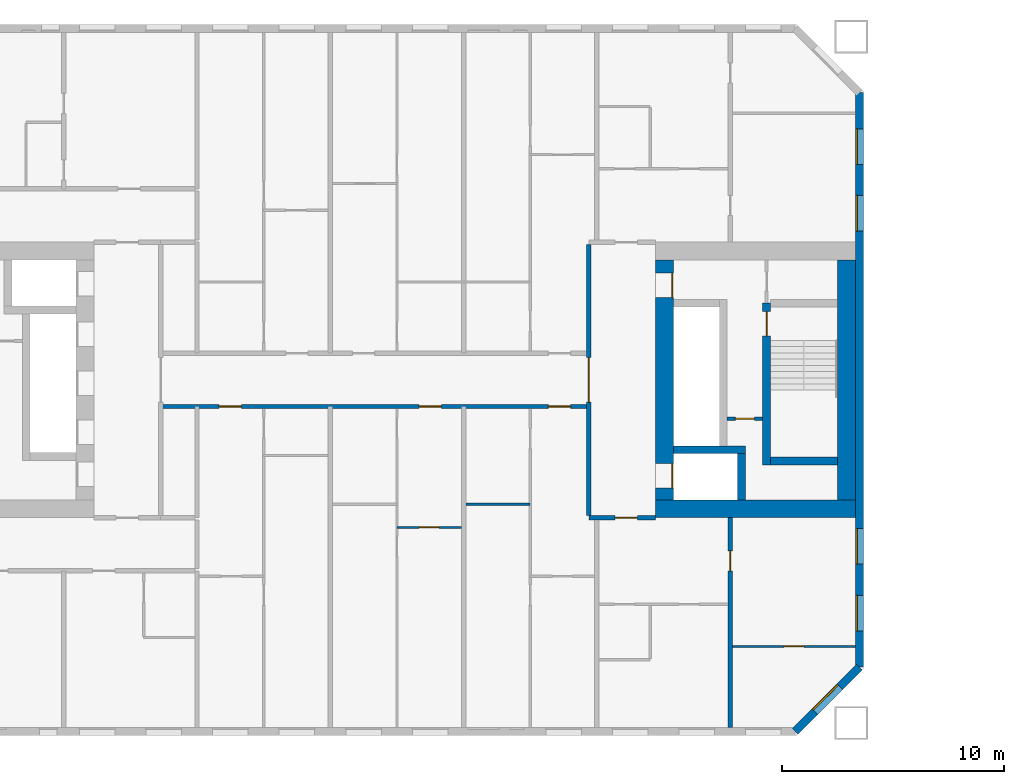
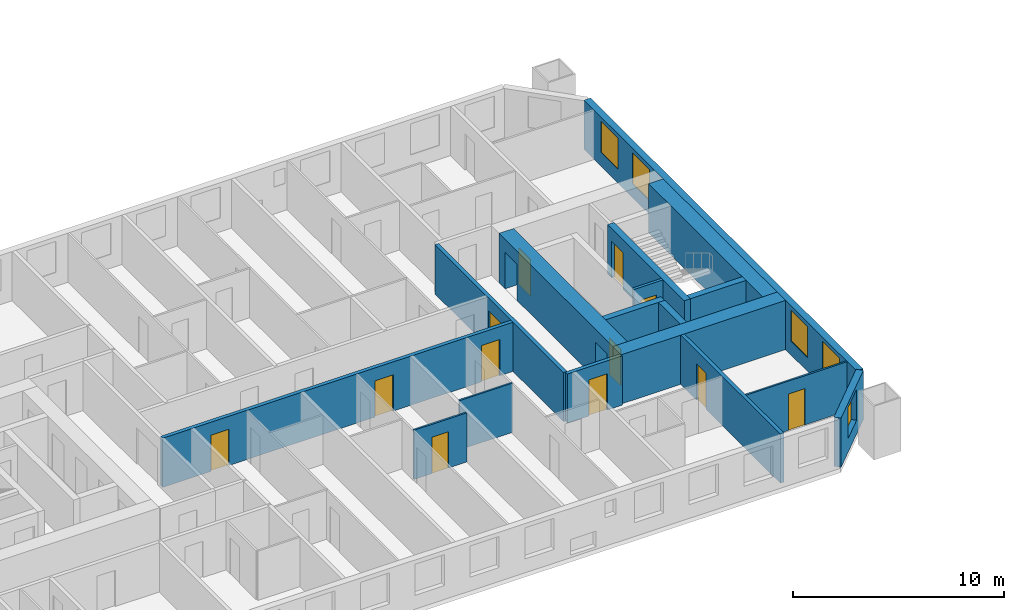
# One storey, part 7 of 17: 17 walls, 12 doors, 5 windows, 17 openings.
"""IFC4 building model written with IfcOpenShell, lengths in metres."""

from ifc_helpers import new_model, si_unit, direction, frame, frame_2d, origin, place, context, subcontext, project, spatial, rectangle, extrude, material, layer, layer_set, type_object, element, fill, save


model = new_model("IFC4")

# Units and contexts
model_context = context("Model", 3, precision=1e-05, world=origin(), true_north=direction((0.0, 1.0)))
body_context = subcontext(model_context, "Body", "Model", "MODEL_VIEW")
ifc_project = project(units=[si_unit("LENGTHUNIT", "METRE"), si_unit("AREAUNIT", "SQUARE_METRE"), si_unit("VOLUMEUNIT", "CUBIC_METRE"), si_unit("PLANEANGLEUNIT", "RADIAN"), si_unit("MASSUNIT", "GRAM", prefix="KILO")], contexts=[model_context])

# Site, building, storey
site_placement = place(None, origin())
site = spatial("IfcSite", under=ifc_project, at=site_placement, CompositionType="ELEMENT")
building_placement = place(site_placement, origin())
building = spatial("IfcBuilding", under=site, at=building_placement, Name="Tuart Gate Housing", CompositionType="ELEMENT")
storey_placement = place(building_placement, frame((0.0, 0.0, 53.60009765625)))
storey = spatial("IfcBuildingStorey", under=building, at=storey_placement, Name="L14", CompositionType="ELEMENT", Elevation=53.60009765625)

# Wall, opening, window
ifc_material_1 = material(Name="Brick", Category="masonry")
ifc_layer_1 = layer(ifc_material_1, 0.360107421875)
ifc_layer_set_1 = layer_set([ifc_layer_1], Name="Brick pier and spandrel wall 360")
wall_type_1 = type_object("IfcWallType", Name="Brick pier and spandrel wall 360", PredefinedType="STANDARD", material=ifc_layer_set_1)
wall_1_placement = place(storey_placement, frame((72.92529296875, 54.179931640625, 0.0), z_axis=(0.0, 0.0, 1.0), x_axis=(0.707106781187, 0.707106781187, 0.0)))
wall_1 = element("IfcWall", 1, at=wall_1_placement, inside=storey, type_object=wall_type_1, Name="External wall A-SE L14", PredefinedType="STANDARD", context=body_context, shape_type="SweptSolid", body=[
    extrude(rectangle(XDim=4.09375, YDim=0.360107421875, at=frame_2d((2.046875, 0.0))), origin(), (0.0, 0.0, 1.0), 2.849853515625),
])
opening_1_placement = place(wall_1_placement, frame((1.2470703125, 0.0, 0.800048828125)))
opening_1 = element("IfcOpeningElement", 2, at=opening_1_placement, cuts=wall_1, Name="Opening W1", PredefinedType="OPENING", context=body_context, shape_type="SweptSolid", body=[
    extrude(rectangle(XDim=1.60009765625, YDim=1.800048828125, at=frame_2d((0.800048828125, 0.89990234375))), frame((0.0, 0.18994140625, 0.0), z_axis=(0.0, -1.0, 0.0), x_axis=(1.0, 0.0, 0.0)), (0.0, 0.0, 1.0), 0.380126953125),
])
ifc_material_2 = material(Name="Aluminium frame with clear glass", Category="aluminium")
window_type = type_object("IfcWindowType", Name="Punched window 1600 x 1800", PartitioningType="SINGLE_PANEL", PredefinedType="WINDOW", material=ifc_material_2)
window_1_placement = place(opening_1_placement, origin())
window_1 = element("IfcWindow", 3, at=window_1_placement, inside=storey, type_object=window_type, Name="Window W1", OverallHeight=1.800048828125, OverallWidth=1.60009765625, PartitioningType="SINGLE_PANEL", PredefinedType="WINDOW", context=body_context, shape_type="SweptSolid", body=[
    extrude(rectangle(XDim=1.60009765625, YDim=1.800048828125, at=frame_2d((0.800048828125, 0.89990234375))), frame((0.0, 0.150146484375, 0.0), z_axis=(0.0, -1.0, 0.0), x_axis=(1.0, 0.0, 0.0)), (0.0, 0.0, 1.0), 0.06005859375),
])
fill(opening_1, window_1)

# Wall, openings, windows
wall_2_placement = place(storey_placement, frame((75.820068359375, 57.07470703125, 0.0), z_axis=(0.0, 0.0, 1.0), x_axis=(0.0, 1.0, 0.0)))
wall_2 = element("IfcWall", 4, at=wall_2_placement, inside=storey, type_object=wall_type_1, Name="External wall A-E L14", PredefinedType="STANDARD", context=body_context, shape_type="SweptSolid", body=[
    extrude(rectangle(XDim=25.850830078125, YDim=0.360107421875, at=frame_2d((12.92529296875, 0.0))), origin(), (0.0, 0.0, 1.0), 2.849853515625),
])
opening_2_placement = place(wall_2_placement, frame((1.62548828125, 0.0, 0.800048828125)))
opening_2 = element("IfcOpeningElement", 5, at=opening_2_placement, cuts=wall_2, Name="Opening W1", PredefinedType="OPENING", context=body_context, shape_type="SweptSolid", body=[
    extrude(rectangle(XDim=1.60009765625, YDim=1.800048828125, at=frame_2d((0.800048828125, 0.89990234375))), frame((0.0, 0.18994140625, 0.0), z_axis=(0.0, -1.0, 0.0), x_axis=(1.0, 0.0, 0.0)), (0.0, 0.0, 1.0), 0.380126953125),
])
opening_3_placement = place(wall_2_placement, frame((4.62548828125, 0.0, 0.800048828125)))
opening_3 = element("IfcOpeningElement", 6, at=opening_3_placement, cuts=wall_2, Name="Opening W1", PredefinedType="OPENING", context=body_context, shape_type="SweptSolid", body=[
    extrude(rectangle(XDim=1.60009765625, YDim=1.800048828125, at=frame_2d((0.800048828125, 0.89990234375))), frame((0.0, 0.18994140625, 0.0), z_axis=(0.0, -1.0, 0.0), x_axis=(1.0, 0.0, 0.0)), (0.0, 0.0, 1.0), 0.380126953125),
])
opening_4_placement = place(wall_2_placement, frame((19.62548828125, 0.0, 0.800048828125)))
opening_4 = element("IfcOpeningElement", 7, at=opening_4_placement, cuts=wall_2, Name="Opening W1", PredefinedType="OPENING", context=body_context, shape_type="SweptSolid", body=[
    extrude(rectangle(XDim=1.60009765625, YDim=1.800048828125, at=frame_2d((0.800048828125, 0.89990234375))), frame((0.0, 0.18994140625, 0.0), z_axis=(0.0, -1.0, 0.0), x_axis=(1.0, 0.0, 0.0)), (0.0, 0.0, 1.0), 0.380126953125),
])
opening_5_placement = place(wall_2_placement, frame((22.62548828125, 0.0, 0.800048828125)))
opening_5 = element("IfcOpeningElement", 8, at=opening_5_placement, cuts=wall_2, Name="Opening W1", PredefinedType="OPENING", context=body_context, shape_type="SweptSolid", body=[
    extrude(rectangle(XDim=1.60009765625, YDim=1.800048828125, at=frame_2d((0.800048828125, 0.89990234375))), frame((0.0, 0.18994140625, 0.0), z_axis=(0.0, -1.0, 0.0), x_axis=(1.0, 0.0, 0.0)), (0.0, 0.0, 1.0), 0.380126953125),
])
window_2_placement = place(opening_2_placement, origin())
window_2 = element("IfcWindow", 9, at=window_2_placement, inside=storey, type_object=window_type, Name="Window W1", OverallHeight=1.800048828125, OverallWidth=1.60009765625, PartitioningType="SINGLE_PANEL", PredefinedType="WINDOW", context=body_context, shape_type="SweptSolid", body=[
    extrude(rectangle(XDim=1.60009765625, YDim=1.800048828125, at=frame_2d((0.800048828125, 0.89990234375))), frame((0.0, 0.150146484375, 0.0), z_axis=(0.0, -1.0, 0.0), x_axis=(1.0, 0.0, 0.0)), (0.0, 0.0, 1.0), 0.06005859375),
])
fill(opening_2, window_2)
window_3_placement = place(opening_3_placement, origin())
window_3 = element("IfcWindow", 10, at=window_3_placement, inside=storey, type_object=window_type, Name="Window W1", OverallHeight=1.800048828125, OverallWidth=1.60009765625, PartitioningType="SINGLE_PANEL", PredefinedType="WINDOW", context=body_context, shape_type="SweptSolid", body=[
    extrude(rectangle(XDim=1.60009765625, YDim=1.800048828125, at=frame_2d((0.800048828125, 0.89990234375))), frame((0.0, 0.150146484375, 0.0), z_axis=(0.0, -1.0, 0.0), x_axis=(1.0, 0.0, 0.0)), (0.0, 0.0, 1.0), 0.06005859375),
])
fill(opening_3, window_3)
window_4_placement = place(opening_4_placement, origin())
window_4 = element("IfcWindow", 11, at=window_4_placement, inside=storey, type_object=window_type, Name="Window W1", OverallHeight=1.800048828125, OverallWidth=1.60009765625, PartitioningType="SINGLE_PANEL", PredefinedType="WINDOW", context=body_context, shape_type="SweptSolid", body=[
    extrude(rectangle(XDim=1.60009765625, YDim=1.800048828125, at=frame_2d((0.800048828125, 0.89990234375))), frame((0.0, 0.150146484375, 0.0), z_axis=(0.0, -1.0, 0.0), x_axis=(1.0, 0.0, 0.0)), (0.0, 0.0, 1.0), 0.06005859375),
])
fill(opening_4, window_4)
window_5_placement = place(opening_5_placement, origin())
window_5 = element("IfcWindow", 12, at=window_5_placement, inside=storey, type_object=window_type, Name="Window W1", OverallHeight=1.800048828125, OverallWidth=1.60009765625, PartitioningType="SINGLE_PANEL", PredefinedType="WINDOW", context=body_context, shape_type="SweptSolid", body=[
    extrude(rectangle(XDim=1.60009765625, YDim=1.800048828125, at=frame_2d((0.800048828125, 0.89990234375))), frame((0.0, 0.150146484375, 0.0), z_axis=(0.0, -1.0, 0.0), x_axis=(1.0, 0.0, 0.0)), (0.0, 0.0, 1.0), 0.06005859375),
])
fill(opening_5, window_5)

# Wall, opening, door
ifc_material_3 = material(Name="Plasterboard partition")
ifc_layer_2 = layer(ifc_material_3, 0.14990234375)
ifc_layer_set_2 = layer_set([ifc_layer_2], Name="Core partition 150")
wall_type_2 = type_object("IfcWallType", Name="Core partition 150", PredefinedType="PARTITIONING", material=ifc_layer_set_2)
wall_3_placement = place(storey_placement, frame((69.864990234375, 68.25, 0.0), z_axis=(0.0, 0.0, 1.0), x_axis=(1.0, 0.0, 0.0)))
wall_3 = element("IfcWall", 13, at=wall_3_placement, inside=storey, type_object=wall_type_2, Name="Core partition AG.3", PredefinedType="PARTITIONING", context=body_context, shape_type="SweptSolid", body=[
    extrude(rectangle(XDim=1.60009765625, YDim=0.14990234375, at=frame_2d((0.800048828125, 0.0))), origin(), (0.0, 0.0, 1.0), 2.849853515625),
])
opening_6_placement = place(wall_3_placement, frame((0.375, 0.0, 0.0)))
opening_6 = element("IfcOpeningElement", 14, at=opening_6_placement, cuts=wall_3, Name="Opening D752", PredefinedType="OPENING", context=body_context, shape_type="SweptSolid", body=[
    extrude(rectangle(XDim=0.85009765625, YDim=2.10009765625, at=frame_2d((0.425048828125, 1.050048828125))), frame((0.0, 0.0849609375, 0.0), z_axis=(0.0, -1.0, 0.0), x_axis=(1.0, 0.0, 0.0)), (0.0, 0.0, 1.0), 0.169921875),
])
ifc_material_4 = material(Name="Steel fire door", Category="steel")
door_type_1 = type_object("IfcDoorType", Name="Riser door 850 x 2100 RH", OperationType="SINGLE_SWING_RIGHT", PredefinedType="DOOR", material=ifc_material_4)
door_1_placement = place(opening_6_placement, frame((0.85009765625, 0.0, 0.0), z_axis=(0.0, 0.0, 1.0), x_axis=(-1.0, 0.0, 0.0)))
door_1 = element("IfcDoor", 15, at=door_1_placement, inside=storey, type_object=door_type_1, Name="Service room door AG.E1", OperationType="SINGLE_SWING_RIGHT", OverallHeight=2.10009765625, OverallWidth=0.85009765625, PredefinedType="DOOR", context=body_context, shape_type="SweptSolid", body=[
    extrude(rectangle(XDim=0.85009765625, YDim=2.10009765625, at=frame_2d((0.425048828125, 1.050048828125))), frame((0.0, 0.025146484375, 0.0), z_axis=(0.0, -1.0, 0.0), x_axis=(1.0, 0.0, 0.0)), (0.0, 0.0, 1.0), 0.050048828125),
])
fill(opening_6, door_1)

# Walls
ifc_material_5 = material(Name="Concrete C60", Category="concrete")
ifc_layer_3 = layer(ifc_material_5, 0.35009765625)
ifc_layer_set_3 = layer_set([ifc_layer_3], Name="Core wall 350 C60")
wall_type_3 = type_object("IfcWallType", Name="Core wall 350 C60", PredefinedType="SHEAR", material=ifc_layer_set_3)
wall_4_placement = place(storey_placement, frame((71.81494140625, 66.35009765625, 0.0), z_axis=(0.0, 0.0, 1.0), x_axis=(1.0, 0.0, 0.0)))
element("IfcWall", 16, at=wall_4_placement, inside=storey, type_object=wall_type_3, Name="Core wall AG.1", PredefinedType="SHEAR", context=body_context, shape_type="SweptSolid", body=[
    extrude(rectangle(XDim=3.025146484375, YDim=0.35009765625, at=frame_2d((1.5126953125, 0.0))), origin(), (0.0, 0.0, 1.0), 2.849853515625),
])
wall_5_placement = place(storey_placement, frame((67.43994140625, 66.85009765625, 0.0), z_axis=(0.0, 0.0, 1.0), x_axis=(1.0, 0.0, 0.0)))
element("IfcWall", 17, at=wall_5_placement, inside=storey, type_object=wall_type_3, Name="Core wall AG.2", PredefinedType="SHEAR", context=body_context, shape_type="SweptSolid", body=[
    extrude(rectangle(XDim=3.2451171875, YDim=0.35009765625, at=frame_2d((1.62255859375, 0.0))), origin(), (0.0, 0.0, 1.0), 2.849853515625),
])
wall_6_placement = place(storey_placement, frame((70.510009765625, 64.60009765625, 0.0), z_axis=(0.0, 0.0, 1.0), x_axis=(0.0, 1.0, 0.0)))
element("IfcWall", 18, at=wall_6_placement, inside=storey, type_object=wall_type_3, Name="Core wall AG.7", PredefinedType="SHEAR", context=body_context, shape_type="SweptSolid", body=[
    extrude(rectangle(XDim=2.074951171875, YDim=0.35009765625, at=frame_2d((1.03759765625, 0.0))), origin(), (0.0, 0.0, 1.0), 2.849853515625),
])

# Wall, opening, door
wall_7_placement = place(storey_placement, frame((71.639892578125, 66.175048828125, 0.0), z_axis=(0.0, 0.0, 1.0), x_axis=(0.0, 1.0, 0.0)))
wall_7 = element("IfcWall", 19, at=wall_7_placement, inside=storey, type_object=wall_type_3, Name="Core wall AG.8", PredefinedType="SHEAR", context=body_context, shape_type="SweptSolid", body=[
    extrude(rectangle(XDim=7.27490234375, YDim=0.35009765625, at=frame_2d((3.637451171875, 0.0))), origin(), (0.0, 0.0, 1.0), 2.849853515625),
])
opening_7_placement = place(wall_7_placement, frame((5.800048828125, 0.0, 0.0)))
opening_7 = element("IfcOpeningElement", 20, at=opening_7_placement, cuts=wall_7, Name="Opening D748", PredefinedType="OPENING", context=body_context, shape_type="SweptSolid", body=[
    extrude(rectangle(XDim=1.10009765625, YDim=2.10009765625, at=frame_2d((0.550048828125, 1.050048828125))), frame((0.0, 0.18505859375, 0.0), z_axis=(0.0, -1.0, 0.0), x_axis=(1.0, 0.0, 0.0)), (0.0, 0.0, 1.0), 0.3701171875),
])
ifc_material_6 = material(Name="Steel fire door", Category="steel")
door_type_2 = type_object("IfcDoorType", Name="Stair door 1100 x 2100", OperationType="SINGLE_SWING_LEFT", PredefinedType="DOOR", material=ifc_material_6)
door_2_placement = place(opening_7_placement, frame((1.10009765625, 0.0, 0.0), z_axis=(0.0, 0.0, 1.0), x_axis=(-1.0, 0.0, 0.0)))
door_2 = element("IfcDoor", 21, at=door_2_placement, inside=storey, type_object=door_type_2, Name="Stair door AG.SD", OperationType="SINGLE_SWING_LEFT", OverallHeight=2.10009765625, OverallWidth=1.10009765625, PredefinedType="DOOR", context=body_context, shape_type="SweptSolid", body=[
    extrude(rectangle(XDim=1.10009765625, YDim=2.10009765625, at=frame_2d((0.550048828125, 1.050048828125))), frame((0.0, 0.025146484375, 0.0), z_axis=(0.0, -1.0, 0.0), x_axis=(1.0, 0.0, 0.0)), (0.0, 0.0, 1.0), 0.050048828125),
])
fill(opening_7, door_2)

# Wall, openings, doors
ifc_material_7 = material(Name="Concrete C60", Category="concrete")
ifc_layer_4 = layer(ifc_material_7, 0.800048828125)
ifc_layer_set_4 = layer_set([ifc_layer_4], Name="Core wall 800 C60")
wall_type_4 = type_object("IfcWallType", Name="Core wall 800 C60", PredefinedType="SHEAR", material=ifc_layer_set_4)
wall_8_placement = place(storey_placement, frame((67.0400390625, 64.60009765625, 0.0), z_axis=(0.0, 0.0, 1.0), x_axis=(0.0, 1.0, 0.0)))
wall_8 = element("IfcWall", 22, at=wall_8_placement, inside=storey, type_object=wall_type_4, Name="Core wall AG front", PredefinedType="SHEAR", context=body_context, shape_type="SweptSolid", body=[
    extrude(rectangle(XDim=10.7998046875, YDim=0.800048828125, at=frame_2d((5.39990234375, 0.0))), origin(), (0.0, 0.0, 1.0), 2.849853515625),
])
opening_8_placement = place(wall_8_placement, frame((0.52490234375, 0.0, 0.0)))
opening_8 = element("IfcOpeningElement", 23, at=opening_8_placement, cuts=wall_8, Name="Opening LD-FA1", PredefinedType="OPENING", context=body_context, shape_type="SweptSolid", body=[
    extrude(rectangle(XDim=1.10009765625, YDim=2.10009765625, at=frame_2d((0.550048828125, 1.050048828125))), frame((0.0, 0.409912109375, 0.0), z_axis=(0.0, -1.0, 0.0), x_axis=(1.0, 0.0, 0.0)), (0.0, 0.0, 1.0), 0.820068359375),
])
opening_9_placement = place(wall_8_placement, frame((9.10009765625, 0.0, 0.0)))
opening_9 = element("IfcOpeningElement", 24, at=opening_9_placement, cuts=wall_8, Name="Opening D747", PredefinedType="OPENING", context=body_context, shape_type="SweptSolid", body=[
    extrude(rectangle(XDim=1.10009765625, YDim=2.10009765625, at=frame_2d((0.550048828125, 1.050048828125))), frame((0.0, 0.409912109375, 0.0), z_axis=(0.0, -1.0, 0.0), x_axis=(1.0, 0.0, 0.0)), (0.0, 0.0, 1.0), 0.820068359375),
])
ifc_material_8 = material(Name="Stainless steel", Category="steel")
door_type_3 = type_object("IfcDoorType", Name="Landing door 1100 x 2100", OperationType="DOUBLE_DOOR_SLIDING", PredefinedType="DOOR", material=ifc_material_8)
door_3_placement = place(opening_8_placement, origin())
door_3 = element("IfcDoor", 25, at=door_3_placement, inside=storey, type_object=door_type_3, Name="Lift landing door FA1", OperationType="DOUBLE_DOOR_SLIDING", OverallHeight=2.10009765625, OverallWidth=1.10009765625, PredefinedType="DOOR", context=body_context, shape_type="SweptSolid", body=[
    extrude(rectangle(XDim=1.10009765625, YDim=2.10009765625, at=frame_2d((0.550048828125, 1.050048828125))), frame((0.0, -0.3349609375, 0.0), z_axis=(0.0, -1.0, 0.0), x_axis=(1.0, 0.0, 0.0)), (0.0, 0.0, 1.0), 0.050048828125),
])
fill(opening_8, door_3)
ifc_material_9 = material(Name="Steel fire door", Category="steel")
door_type_4 = type_object("IfcDoorType", Name="Lobby door 1100 x 2100 RH", OperationType="SINGLE_SWING_RIGHT", PredefinedType="DOOR", material=ifc_material_9)
door_4_placement = place(opening_9_placement, frame((1.10009765625, 0.0, 0.0), z_axis=(0.0, 0.0, 1.0), x_axis=(-1.0, 0.0, 0.0)))
door_4 = element("IfcDoor", 26, at=door_4_placement, inside=storey, type_object=door_type_4, Name="Lobby entry door AG.EN", OperationType="SINGLE_SWING_RIGHT", OverallHeight=2.10009765625, OverallWidth=1.10009765625, PredefinedType="DOOR", context=body_context, shape_type="SweptSolid", body=[
    extrude(rectangle(XDim=1.10009765625, YDim=2.10009765625, at=frame_2d((0.550048828125, 1.050048828125))), frame((0.0, 0.385009765625, 0.0), z_axis=(0.0, -1.0, 0.0), x_axis=(1.0, 0.0, 0.0)), (0.0, 0.0, 1.0), 0.050048828125),
])
fill(opening_9, door_4)

# Walls
wall_9_placement = place(storey_placement, frame((75.239990234375, 64.60009765625, 0.0), z_axis=(0.0, 0.0, 1.0), x_axis=(0.0, 1.0, 0.0)))
element("IfcWall", 27, at=wall_9_placement, inside=storey, type_object=wall_type_4, Name="Core wall AG back", PredefinedType="SHEAR", context=body_context, shape_type="SweptSolid", body=[
    extrude(rectangle(XDim=10.7998046875, YDim=0.800048828125, at=frame_2d((5.39990234375, 0.0))), origin(), (0.0, 0.0, 1.0), 2.849853515625),
])
wall_10_placement = place(storey_placement, frame((66.639892578125, 64.199951171875, 0.0), z_axis=(0.0, 0.0, 1.0), x_axis=(1.0, 0.0, 0.0)))
element("IfcWall", 28, at=wall_10_placement, inside=storey, type_object=wall_type_4, Name="Core wall AG south", PredefinedType="SHEAR", context=body_context, shape_type="SweptSolid", body=[
    extrude(rectangle(XDim=9.0, YDim=0.800048828125, at=frame_2d((4.5, 0.0))), origin(), (0.0, 0.0, 1.0), 2.849853515625),
])

# Wall, openings, doors
ifc_material_10 = material(Name="Concrete masonry 15 MPa", Category="masonry")
ifc_layer_5 = layer(ifc_material_10, 0.199951171875)
ifc_layer_set_5 = layer_set([ifc_layer_5], Name="Corridor wall masonry 200")
wall_type_5 = type_object("IfcWallType", Name="Corridor wall masonry 200", PredefinedType="PARTITIONING", material=ifc_layer_set_5)
wall_11_placement = place(storey_placement, frame((44.360107421875, 68.800048828125, 0.0), z_axis=(0.0, 0.0, 1.0), x_axis=(1.0, 0.0, 0.0)))
wall_11 = element("IfcWall", 29, at=wall_11_placement, inside=storey, type_object=wall_type_5, Name="Corridor wall masonry 200", PredefinedType="PARTITIONING", context=body_context, shape_type="SweptSolid", body=[
    extrude(rectangle(XDim=19.27978515625, YDim=0.199951171875, at=frame_2d((9.639892578125, 0.0))), origin(), (0.0, 0.0, 1.0), 2.849853515625),
])
opening_10_placement = place(wall_11_placement, frame((17.4599609375, 0.0, 0.0)))
opening_10 = element("IfcOpeningElement", 30, at=opening_10_placement, cuts=wall_11, Name="Opening D749", PredefinedType="OPENING", context=body_context, shape_type="SweptSolid", body=[
    extrude(rectangle(XDim=1.0, YDim=2.10009765625, at=frame_2d((0.5, 1.050048828125))), frame((0.0, 0.10986328125, 0.0), z_axis=(0.0, -1.0, 0.0), x_axis=(1.0, 0.0, 0.0)), (0.0, 0.0, 1.0), 0.219970703125),
])
opening_11_placement = place(wall_11_placement, frame((11.639892578125, 0.0, 0.0)))
opening_11 = element("IfcOpeningElement", 31, at=opening_11_placement, cuts=wall_11, Name="Opening D750", PredefinedType="OPENING", context=body_context, shape_type="SweptSolid", body=[
    extrude(rectangle(XDim=1.0, YDim=2.10009765625, at=frame_2d((0.5, 1.050048828125))), frame((0.0, 0.10986328125, 0.0), z_axis=(0.0, -1.0, 0.0), x_axis=(1.0, 0.0, 0.0)), (0.0, 0.0, 1.0), 0.219970703125),
])
opening_12_placement = place(wall_11_placement, frame((2.639892578125, 0.0, 0.0)))
opening_12 = element("IfcOpeningElement", 32, at=opening_12_placement, cuts=wall_11, Name="Opening D751", PredefinedType="OPENING", context=body_context, shape_type="SweptSolid", body=[
    extrude(rectangle(XDim=1.0, YDim=2.10009765625, at=frame_2d((0.5, 1.050048828125))), frame((0.0, 0.10986328125, 0.0), z_axis=(0.0, -1.0, 0.0), x_axis=(1.0, 0.0, 0.0)), (0.0, 0.0, 1.0), 0.219970703125),
])
ifc_material_11 = material(Name="Timber door leaf in steel frame", Category="steel")
door_type_5 = type_object("IfcDoorType", Name="Flat entrance door 1000 RH", OperationType="SINGLE_SWING_RIGHT", PredefinedType="DOOR", material=ifc_material_11)
door_5_placement = place(opening_10_placement, frame((1.0, 0.0, 0.0), z_axis=(0.0, 0.0, 1.0), x_axis=(-1.0, 0.0, 0.0)))
door_5 = element("IfcDoor", 33, at=door_5_placement, inside=storey, type_object=door_type_5, Name="Flat entrance door", OperationType="SINGLE_SWING_RIGHT", OverallHeight=2.10009765625, OverallWidth=1.0, PredefinedType="DOOR", context=body_context, shape_type="SweptSolid", body=[
    extrude(rectangle(XDim=1.0, YDim=2.10009765625, at=frame_2d((0.5, 1.050048828125))), frame((0.0, 0.025146484375, 0.0), z_axis=(0.0, -1.0, 0.0), x_axis=(1.0, 0.0, 0.0)), (0.0, 0.0, 1.0), 0.050048828125),
])
fill(opening_10, door_5)
door_6_placement = place(opening_11_placement, frame((1.0, 0.0, 0.0), z_axis=(0.0, 0.0, 1.0), x_axis=(-1.0, 0.0, 0.0)))
door_6 = element("IfcDoor", 34, at=door_6_placement, inside=storey, type_object=door_type_5, Name="Flat entrance door", OperationType="SINGLE_SWING_RIGHT", OverallHeight=2.10009765625, OverallWidth=1.0, PredefinedType="DOOR", context=body_context, shape_type="SweptSolid", body=[
    extrude(rectangle(XDim=1.0, YDim=2.10009765625, at=frame_2d((0.5, 1.050048828125))), frame((0.0, 0.025146484375, 0.0), z_axis=(0.0, -1.0, 0.0), x_axis=(1.0, 0.0, 0.0)), (0.0, 0.0, 1.0), 0.050048828125),
])
fill(opening_11, door_6)
door_7_placement = place(opening_12_placement, frame((1.0, 0.0, 0.0), z_axis=(0.0, 0.0, 1.0), x_axis=(-1.0, 0.0, 0.0)))
door_7 = element("IfcDoor", 35, at=door_7_placement, inside=storey, type_object=door_type_5, Name="Flat entrance door", OperationType="SINGLE_SWING_RIGHT", OverallHeight=2.10009765625, OverallWidth=1.0, PredefinedType="DOOR", context=body_context, shape_type="SweptSolid", body=[
    extrude(rectangle(XDim=1.0, YDim=2.10009765625, at=frame_2d((0.5, 1.050048828125))), frame((0.0, 0.025146484375, 0.0), z_axis=(0.0, -1.0, 0.0), x_axis=(1.0, 0.0, 0.0)), (0.0, 0.0, 1.0), 0.050048828125),
])
fill(opening_12, door_7)

# Wall, opening, door
ifc_material_12 = material(Name="Concrete masonry 15 MPa", Category="masonry")
ifc_layer_6 = layer(ifc_material_12, 0.199951171875)
ifc_layer_set_6 = layer_set([ifc_layer_6], Name="Enclosure wall masonry 200")
wall_type_6 = type_object("IfcWallType", Name="Enclosure wall masonry 200", PredefinedType="PARTITIONING", material=ifc_layer_set_6)
wall_12_placement = place(storey_placement, frame((63.639892578125, 63.800048828125, 0.0), z_axis=(0.0, 0.0, 1.0), x_axis=(1.0, 0.0, 0.0)))
wall_12 = element("IfcWall", 36, at=wall_12_placement, inside=storey, type_object=wall_type_6, Name="Enclosure wall masonry 200", PredefinedType="PARTITIONING", context=body_context, shape_type="SweptSolid", body=[
    extrude(rectangle(XDim=3.0, YDim=0.199951171875, at=frame_2d((1.5, 0.0))), origin(), (0.0, 0.0, 1.0), 2.849853515625),
])
opening_13_placement = place(wall_12_placement, frame((1.179931640625, 0.0, 0.0)))
opening_13 = element("IfcOpeningElement", 37, at=opening_13_placement, cuts=wall_12, Name="Opening D756", PredefinedType="OPENING", context=body_context, shape_type="SweptSolid", body=[
    extrude(rectangle(XDim=1.0, YDim=2.10009765625, at=frame_2d((0.5, 1.050048828125))), frame((0.0, 0.10986328125, 0.0), z_axis=(0.0, -1.0, 0.0), x_axis=(1.0, 0.0, 0.0)), (0.0, 0.0, 1.0), 0.219970703125),
])
door_8_placement = place(opening_13_placement, frame((1.0, 0.0, 0.0), z_axis=(0.0, 0.0, 1.0), x_axis=(-1.0, 0.0, 0.0)))
door_8 = element("IfcDoor", 38, at=door_8_placement, inside=storey, type_object=door_type_5, Name="Flat entrance door", OperationType="SINGLE_SWING_RIGHT", OverallHeight=2.10009765625, OverallWidth=1.0, PredefinedType="DOOR", context=body_context, shape_type="SweptSolid", body=[
    extrude(rectangle(XDim=1.0, YDim=2.10009765625, at=frame_2d((0.5, 1.050048828125))), frame((0.0, 0.025146484375, 0.0), z_axis=(0.0, -1.0, 0.0), x_axis=(1.0, 0.0, 0.0)), (0.0, 0.0, 1.0), 0.050048828125),
])
fill(opening_13, door_8)

ifc_material_13 = material(Name="Plasterboard partition")
ifc_layer_7 = layer(ifc_material_13, 0.199951171875)
ifc_layer_set_7 = layer_set([ifc_layer_7], Name="Lobby wall 200")
wall_type_7 = type_object("IfcWallType", Name="Lobby wall 200", PredefinedType="PARTITIONING", material=ifc_layer_set_7)
wall_13_placement = place(storey_placement, frame((63.639892578125, 63.89990234375, 0.0), z_axis=(0.0, 0.0, 1.0), x_axis=(0.0, 1.0, 0.0)))
wall_13 = element("IfcWall", 39, at=wall_13_placement, inside=storey, type_object=wall_type_7, Name="Lift lobby wall AG", PredefinedType="PARTITIONING", context=body_context, shape_type="SweptSolid", body=[
    extrude(rectangle(XDim=12.2001953125, YDim=0.199951171875, at=frame_2d((6.10009765625, 0.0))), origin(), (0.0, 0.0, 1.0), 2.849853515625),
])
opening_14_placement = place(wall_13_placement, frame((5.10009765625, 0.0, 0.0)))
opening_14 = element("IfcOpeningElement", 40, at=opening_14_placement, cuts=wall_13, Name="Opening D746", PredefinedType="OPENING", context=body_context, shape_type="SweptSolid", body=[
    extrude(rectangle(XDim=2.0, YDim=2.10009765625, at=frame_2d((1.0, 1.050048828125))), frame((0.0, 0.10986328125, 0.0), z_axis=(0.0, -1.0, 0.0), x_axis=(1.0, 0.0, 0.0)), (0.0, 0.0, 1.0), 0.219970703125),
])
ifc_material_14 = material(Name="Steel fire door", Category="steel")
door_type_6 = type_object("IfcDoorType", Name="Smoke door 2000 x 2100", OperationType="DOUBLE_DOOR_SINGLE_SWING", PredefinedType="DOOR", material=ifc_material_14)
door_9_placement = place(opening_14_placement, frame((2.0, 0.0, 0.0), z_axis=(0.0, 0.0, 1.0), x_axis=(-1.0, 0.0, 0.0)))
door_9 = element("IfcDoor", 41, at=door_9_placement, inside=storey, type_object=door_type_6, Name="Lift lobby smoke door AG", OperationType="DOUBLE_DOOR_SINGLE_SWING", OverallHeight=2.10009765625, OverallWidth=2.0, PredefinedType="DOOR", context=body_context, shape_type="SweptSolid", body=[
    extrude(rectangle(XDim=2.0, YDim=2.10009765625, at=frame_2d((1.0, 1.050048828125))), frame((0.0, 0.025146484375, 0.0), z_axis=(0.0, -1.0, 0.0), x_axis=(1.0, 0.0, 0.0)), (0.0, 0.0, 1.0), 0.050048828125),
])
fill(opening_14, door_9)

ifc_material_15 = material(Name="Gypsum board on steel studs", Category="steel")
ifc_layer_8 = layer(ifc_material_15, 0.10009765625)
ifc_layer_set_8 = layer_set([ifc_layer_8], Name="Partition 100")
wall_type_8 = type_object("IfcWallType", Name="Partition 100", PredefinedType="PARTITIONING", material=ifc_layer_set_8)
wall_14_placement = place(storey_placement, frame((70.10009765625, 58.0, 0.0), z_axis=(0.0, 0.0, 1.0), x_axis=(1.0, 0.0, 0.0)))
wall_14 = element("IfcWall", 42, at=wall_14_placement, inside=storey, type_object=wall_type_8, Name="Partition 100", PredefinedType="PARTITIONING", context=body_context, shape_type="SweptSolid", body=[
    extrude(rectangle(XDim=5.539794921875, YDim=0.10009765625, at=frame_2d((2.77001953125, 0.0))), origin(), (0.0, 0.0, 1.0), 2.849853515625),
])
opening_15_placement = place(wall_14_placement, frame((2.320068359375, 0.0, 0.0)))
opening_15 = element("IfcOpeningElement", 43, at=opening_15_placement, cuts=wall_14, Name="Opening D773", PredefinedType="OPENING", context=body_context, shape_type="SweptSolid", body=[
    extrude(rectangle(XDim=0.89990234375, YDim=2.10009765625, at=frame_2d((0.449951171875, 1.050048828125))), frame((0.0, 0.06005859375, 0.0), z_axis=(0.0, -1.0, 0.0), x_axis=(1.0, 0.0, 0.0)), (0.0, 0.0, 1.0), 0.1201171875),
])
ifc_material_16 = material(Name="Timber door leaf in steel frame", Category="steel")
door_type_7 = type_object("IfcDoorType", Name="Internal door 900", OperationType="SINGLE_SWING_LEFT", PredefinedType="DOOR", material=ifc_material_16)
door_10_placement = place(opening_15_placement, frame((0.89990234375, 0.0, 0.0), z_axis=(0.0, 0.0, 1.0), x_axis=(-1.0, 0.0, 0.0)))
door_10 = element("IfcDoor", 44, at=door_10_placement, inside=storey, type_object=door_type_7, Name="Internal door", OperationType="SINGLE_SWING_LEFT", OverallHeight=2.10009765625, OverallWidth=0.89990234375, PredefinedType="DOOR", context=body_context, shape_type="SweptSolid", body=[
    extrude(rectangle(XDim=0.89990234375, YDim=2.10009765625, at=frame_2d((0.449951171875, 1.050048828125))), frame((0.0, 0.025146484375, 0.0), z_axis=(0.0, -1.0, 0.0), x_axis=(1.0, 0.0, 0.0)), (0.0, 0.0, 1.0), 0.050048828125),
])
fill(opening_15, door_10)

wall_15_placement = place(storey_placement, frame((55.0, 63.360107421875, 0.0), z_axis=(0.0, 0.0, 1.0), x_axis=(1.0, 0.0, 0.0)))
wall_15 = element("IfcWall", 45, at=wall_15_placement, inside=storey, type_object=wall_type_8, Name="Partition 100", PredefinedType="PARTITIONING", context=body_context, shape_type="SweptSolid", body=[
    extrude(rectangle(XDim=2.89990234375, YDim=0.10009765625, at=frame_2d((1.449951171875, 0.0))), origin(), (0.0, 0.0, 1.0), 2.849853515625),
])
opening_16_placement = place(wall_15_placement, frame((1.0, 0.0, 0.0)))
opening_16 = element("IfcOpeningElement", 46, at=opening_16_placement, cuts=wall_15, Name="Opening D757", PredefinedType="OPENING", context=body_context, shape_type="SweptSolid", body=[
    extrude(rectangle(XDim=0.89990234375, YDim=2.10009765625, at=frame_2d((0.449951171875, 1.050048828125))), frame((0.0, 0.06005859375, 0.0), z_axis=(0.0, -1.0, 0.0), x_axis=(1.0, 0.0, 0.0)), (0.0, 0.0, 1.0), 0.1201171875),
])
door_11_placement = place(opening_16_placement, origin())
door_11 = element("IfcDoor", 47, at=door_11_placement, inside=storey, type_object=door_type_7, Name="Internal door", OperationType="SINGLE_SWING_LEFT", OverallHeight=2.10009765625, OverallWidth=0.89990234375, PredefinedType="DOOR", context=body_context, shape_type="SweptSolid", body=[
    extrude(rectangle(XDim=0.89990234375, YDim=2.10009765625, at=frame_2d((0.449951171875, 1.050048828125))), frame((0.0, 0.02490234375, 0.0), z_axis=(0.0, -1.0, 0.0), x_axis=(1.0, 0.0, 0.0)), (0.0, 0.0, 1.0), 0.050048828125),
])
fill(opening_16, door_11)

# Wall
wall_16_placement = place(storey_placement, frame((58.10009765625, 64.39990234375, 0.0), z_axis=(0.0, 0.0, 1.0), x_axis=(1.0, 0.0, 0.0)))
element("IfcWall", 48, at=wall_16_placement, inside=storey, type_object=wall_type_8, Name="Partition 100", PredefinedType="PARTITIONING", context=body_context, shape_type="SweptSolid", body=[
    extrude(rectangle(XDim=2.89990234375, YDim=0.10009765625, at=frame_2d((1.449951171875, 0.0))), origin(), (0.0, 0.0, 1.0), 2.849853515625),
])

# Wall, opening, door
ifc_material_17 = material(Name="Concrete C40", Category="concrete")
ifc_layer_9 = layer(ifc_material_17, 0.199951171875)
ifc_layer_set_9 = layer_set([ifc_layer_9], Name="Party wall concrete C40 200")
wall_type_9 = type_object("IfcWallType", Name="Party wall concrete C40 200", PredefinedType="SOLIDWALL", material=ifc_layer_set_9)
wall_17_placement = place(storey_placement, frame((70.0, 54.360107421875, 0.0), z_axis=(0.0, 0.0, 1.0), x_axis=(0.0, 1.0, 0.0)))
wall_17 = element("IfcWall", 49, at=wall_17_placement, inside=storey, type_object=wall_type_9, Name="Party wall concrete C40 200", PredefinedType="SOLIDWALL", context=body_context, shape_type="SweptSolid", body=[
    extrude(rectangle(XDim=9.43994140625, YDim=0.199951171875, at=frame_2d((4.719970703125, 0.0))), origin(), (0.0, 0.0, 1.0), 2.849853515625),
])
opening_17_placement = place(wall_17_placement, frame((7.0400390625, 0.0, 0.0)))
opening_17 = element("IfcOpeningElement", 50, at=opening_17_placement, cuts=wall_17, Name="Opening D772", PredefinedType="OPENING", context=body_context, shape_type="SweptSolid", body=[
    extrude(rectangle(XDim=0.89990234375, YDim=2.10009765625, at=frame_2d((0.449951171875, 1.050048828125))), frame((0.0, 0.10986328125, 0.0), z_axis=(0.0, -1.0, 0.0), x_axis=(1.0, 0.0, 0.0)), (0.0, 0.0, 1.0), 0.219970703125),
])
door_12_placement = place(opening_17_placement, origin())
door_12 = element("IfcDoor", 51, at=door_12_placement, inside=storey, type_object=door_type_7, Name="Internal door", OperationType="SINGLE_SWING_LEFT", OverallHeight=2.10009765625, OverallWidth=0.89990234375, PredefinedType="DOOR", context=body_context, shape_type="SweptSolid", body=[
    extrude(rectangle(XDim=0.89990234375, YDim=2.10009765625, at=frame_2d((0.449951171875, 1.050048828125))), frame((0.0, 0.02490234375, 0.0), z_axis=(0.0, -1.0, 0.0), x_axis=(1.0, 0.0, 0.0)), (0.0, 0.0, 1.0), 0.050048828125),
])
fill(opening_17, door_12)

save(model, "model.ifc")
